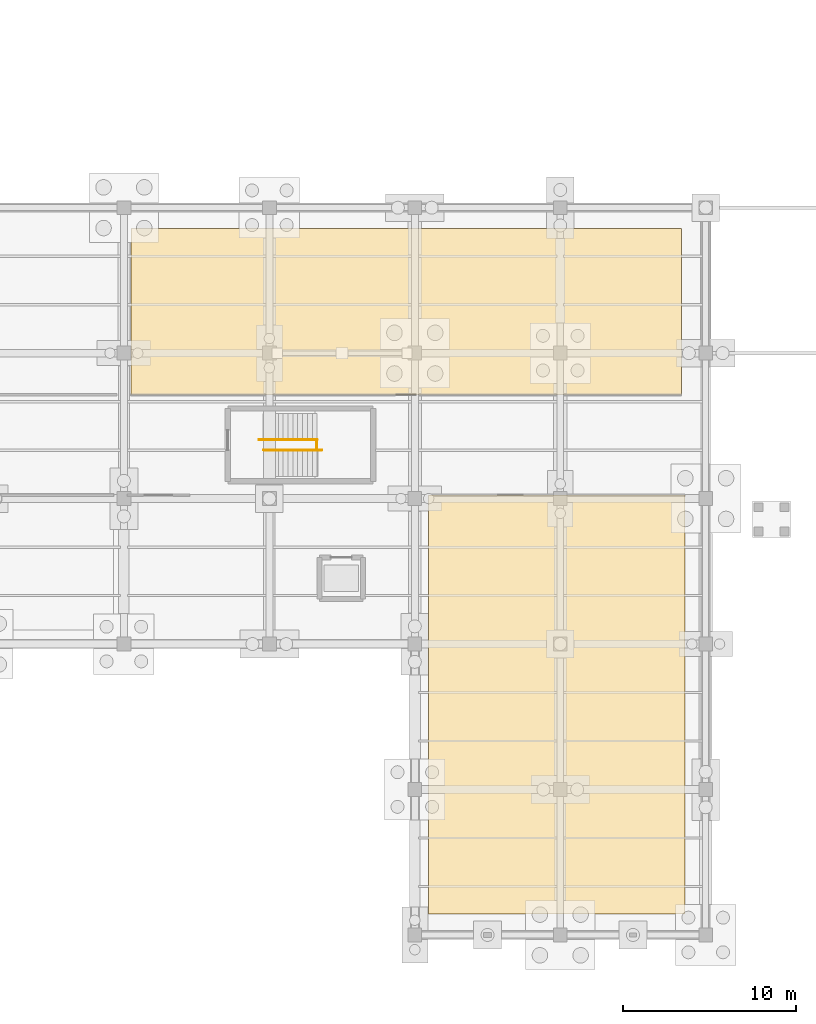
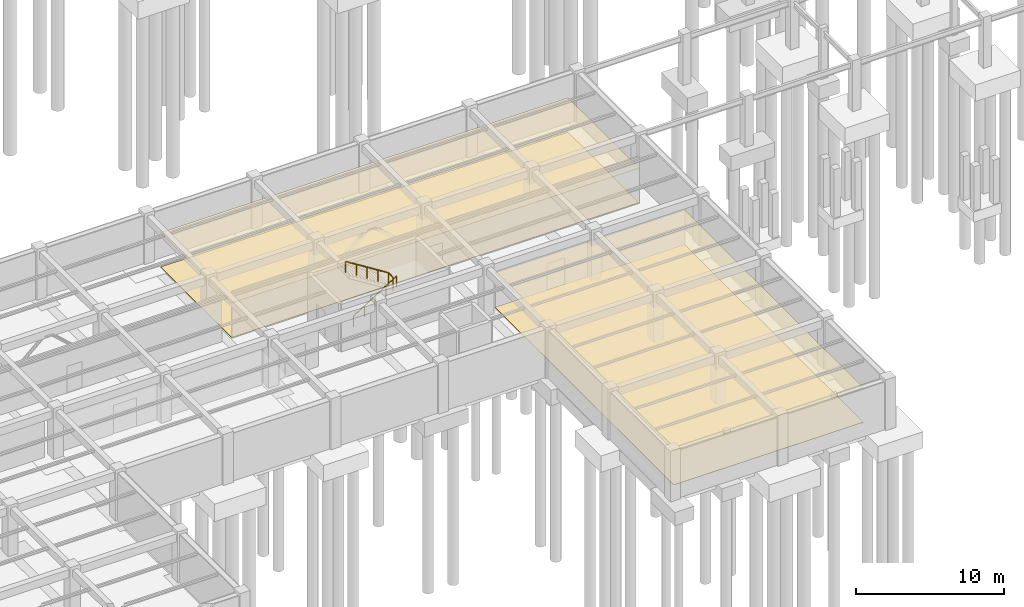
# One storey, part 33 of 38: 4 coverings, 3 railings.
"""IFC4 building model written with IfcOpenShell, lengths in metres."""

from ifc_helpers import new_model, si_unit, direction, frame, origin, origin_2d, place, context, subcontext, project, spatial, polyline, circle, outline, extrude, material, layer, layer_set, type_object, element, save


model = new_model("IFC4")

# Units and contexts
model_context = context("Model", 3, precision=1e-05, world=origin(), true_north=direction((0.0, 1.0)))
body_context = subcontext(model_context, "Body", "Model", "MODEL_VIEW")
ifc_project = project(units=[si_unit("LENGTHUNIT", "METRE"), si_unit("AREAUNIT", "SQUARE_METRE"), si_unit("VOLUMEUNIT", "CUBIC_METRE"), si_unit("PLANEANGLEUNIT", "RADIAN"), si_unit("MASSUNIT", "GRAM", prefix="KILO"), si_unit("THERMODYNAMICTEMPERATUREUNIT", "KELVIN"), si_unit("POWERUNIT", "WATT")], contexts=[model_context])

# Site, building, storey
site_placement = place(None, origin())
site = spatial("IfcSite", under=ifc_project, at=site_placement, CompositionType="ELEMENT")
building_placement = place(site_placement, origin())
building = spatial("IfcBuilding", under=site, at=building_placement, Name="Darbajah Civic Hall", CompositionType="ELEMENT")
storey_placement = place(building_placement, frame((0.0, 0.0, -4.199951171875)))
storey = spatial("IfcBuildingStorey", under=building, at=storey_placement, Name="B01", CompositionType="ELEMENT", Elevation=-4.199951171875)

# Railings
ifc_material_1 = material(Name="Brushed Bronze Stainless Steel", Category="steel")
railing_type_1 = type_object("IfcRailingType", Name="Brushed Bronze Handrail", PredefinedType="HANDRAIL", material=ifc_material_1)
railing_1_placement = place(storey_placement, frame((41.679931640625, 28.0, 0.175048828125)))
element("IfcRailing", 1, at=railing_1_placement, inside=storey, type_object=railing_type_1, Name="ST11 B01 lower flight handrail", PredefinedType="HANDRAIL", context=body_context, shape_type="SweptSolid", body=[
    extrude(circle(Radius=0.02392578125, at=origin_2d()), frame((0.023193359375, 0.0, 0.910400390625), z_axis=(0.845972016735, 0.0, 0.533227293844), x_axis=(0.0, 1.0, 0.0)), (0.0, 0.0, 1.0), 3.917236328125),
    extrude(circle(Radius=0.02099609375, at=origin_2d()), origin(), (0.0, 0.0, 1.0), 0.867919921875),
    extrude(circle(Radius=0.02099609375, at=origin_2d()), frame((0.840087890625, 0.0, 0.529541015625)), (0.0, 0.0, 1.0), 0.867919921875),
    extrude(circle(Radius=0.02099609375, at=origin_2d()), frame((1.68017578125, 0.0, 1.05908203125)), (0.0, 0.0, 1.0), 0.867919921875),
    extrude(circle(Radius=0.02099609375, at=origin_2d()), frame((2.52001953125, 0.0, 1.58837890625)), (0.0, 0.0, 1.0), 0.867919921875),
    extrude(circle(Radius=0.02099609375, at=origin_2d()), frame((3.360107421875, 0.0, 2.117919921875)), (0.0, 0.0, 1.0), 0.867919921875),
])
railing_2_placement = place(storey_placement, frame((44.760009765625, 28.60009765625, 2.27490234375)))
element("IfcRailing", 2, at=railing_2_placement, inside=storey, type_object=railing_type_1, Name="ST11 B01 upper flight handrail", PredefinedType="HANDRAIL", context=body_context, shape_type="SweptSolid", body=[
    extrude(circle(Radius=0.02392578125, at=origin_2d()), frame((-0.023193359375, 0.0, 0.910400390625), z_axis=(-0.845944288966, 0.0, 0.533271281775), x_axis=(0.0, -1.0, 0.0)), (0.0, 0.0, 1.0), 3.91748046875),
    extrude(circle(Radius=0.02099609375, at=origin_2d()), origin(), (0.0, 0.0, 1.0), 0.867919921875),
    extrude(circle(Radius=0.02099609375, at=origin_2d()), frame((-0.840087890625, 0.0, 0.529541015625)), (0.0, 0.0, 1.0), 0.867919921875),
    extrude(circle(Radius=0.02099609375, at=origin_2d()), frame((-1.68017578125, 0.0, 1.05908203125)), (0.0, 0.0, 1.0), 0.867919921875),
    extrude(circle(Radius=0.02099609375, at=origin_2d()), frame((-2.52001953125, 0.0, 1.588623046875)), (0.0, 0.0, 1.0), 0.867919921875),
    extrude(circle(Radius=0.02099609375, at=origin_2d()), frame((-3.360107421875, 0.0, 2.1181640625)), (0.0, 0.0, 1.0), 0.867919921875),
])

# Coverings
ifc_material_2 = material(Name="Honed Qatari Limestone Terrazzo", Category="masonry")
ifc_layer_1 = layer(ifc_material_2, 0.030029296875, Name="Honed Qatari Limestone Terrazzo")
ifc_layer_set_1 = layer_set([ifc_layer_1], Name="Honed Qatari Limestone Terrazzo")
covering_type_1 = type_object("IfcCoveringType", Name="Honed Qatari Limestone Terrazzo Flooring", PredefinedType="FLOORING", material=ifc_layer_set_1)
covering_1_placement = place(storey_placement, origin())
element("IfcCovering", 3, at=covering_1_placement, inside=storey, type_object=covering_type_1, Name="B01 stone terrazzo flooring B01-15", PredefinedType="FLOORING", context=body_context, shape_type="SweptSolid", body=[
    extrude(outline(polyline([(51.199951171875, 1.199951171875), (66.0, 1.199951171875), (66.0, 25.39990234375), (51.199951171875, 25.39990234375), (51.199951171875, 1.199951171875)])), origin(), (0.0, 0.0, 1.0), 0.030029296875),
])
covering_2_placement = place(storey_placement, origin())
element("IfcCovering", 4, at=covering_2_placement, inside=storey, type_object=covering_type_1, Name="B01 stone terrazzo flooring B01-17", PredefinedType="FLOORING", context=body_context, shape_type="SweptSolid", body=[
    extrude(outline(polyline([(34.0, 31.199951171875), (65.800048828125, 31.199951171875), (65.800048828125, 40.800048828125), (34.0, 40.800048828125), (34.0, 31.199951171875)])), origin(), (0.0, 0.0, 1.0), 0.030029296875),
])

# Railing
ifc_material_3 = material(Name="Brushed Bronze and Laminated Safety Glass", Category="glass")
railing_type_2 = type_object("IfcRailingType", Name="Interior Guard Balustrade", PredefinedType="BALUSTRADE", material=ifc_material_3)
railing_3_placement = place(storey_placement, frame((44.739990234375, 28.0, 2.099853515625)))
element("IfcRailing", 5, at=railing_3_placement, inside=storey, type_object=railing_type_2, Name="ST11 B01 landing well guard", PredefinedType="BALUSTRADE", context=body_context, shape_type="SweptSolid", body=[
    extrude(circle(Radius=0.02392578125, at=origin_2d()), frame((0.0, 0.02734375, 1.09619140625), z_axis=(0.0, 1.0, 0.0), x_axis=(-1.0, 0.0, 0.0)), (0.0, 0.0, 1.0), 0.54541015625),
    extrude(circle(Radius=0.02099609375, at=origin_2d()), origin(), (0.0, 0.0, 1.0), 1.068115234375),
    extrude(circle(Radius=0.02099609375, at=origin_2d()), frame((0.0, 0.60009765625, 0.0)), (0.0, 0.0, 1.0), 1.068115234375),
])

# Coverings
ifc_material_4 = material(Name="Perforated Acoustic Gypsum Board")
ifc_layer_2 = layer(ifc_material_4, 0.02490234375, Name="Perforated Acoustic Gypsum Board")
ifc_layer_set_2 = layer_set([ifc_layer_2], Name="Perforated Acoustic Gypsum Board")
covering_type_2 = type_object("IfcCoveringType", Name="Perforated Acoustic Gypsum Ceiling", PredefinedType="CEILING", material=ifc_layer_set_2)
covering_3_placement = place(storey_placement, frame((0.0, 0.0, 2.849853515625)))
element("IfcCovering", 6, at=covering_3_placement, inside=storey, type_object=covering_type_2, Name="B01 acoustic suspended ceiling B01-15", PredefinedType="CEILING", context=body_context, shape_type="SweptSolid", body=[
    extrude(outline(polyline([(51.199951171875, 1.199951171875), (66.0, 1.199951171875), (66.0, 25.39990234375), (51.199951171875, 25.39990234375), (51.199951171875, 1.199951171875)])), origin(), (0.0, 0.0, 1.0), 0.025146484375),
])
covering_4_placement = place(storey_placement, frame((0.0, 0.0, 2.849853515625)))
element("IfcCovering", 7, at=covering_4_placement, inside=storey, type_object=covering_type_2, Name="B01 acoustic suspended ceiling B01-17", PredefinedType="CEILING", context=body_context, shape_type="SweptSolid", body=[
    extrude(outline(polyline([(34.0, 31.199951171875), (65.800048828125, 31.199951171875), (65.800048828125, 40.800048828125), (34.0, 40.800048828125), (34.0, 31.199951171875)])), origin(), (0.0, 0.0, 1.0), 0.025146484375),
])

save(model, "model.ifc")
